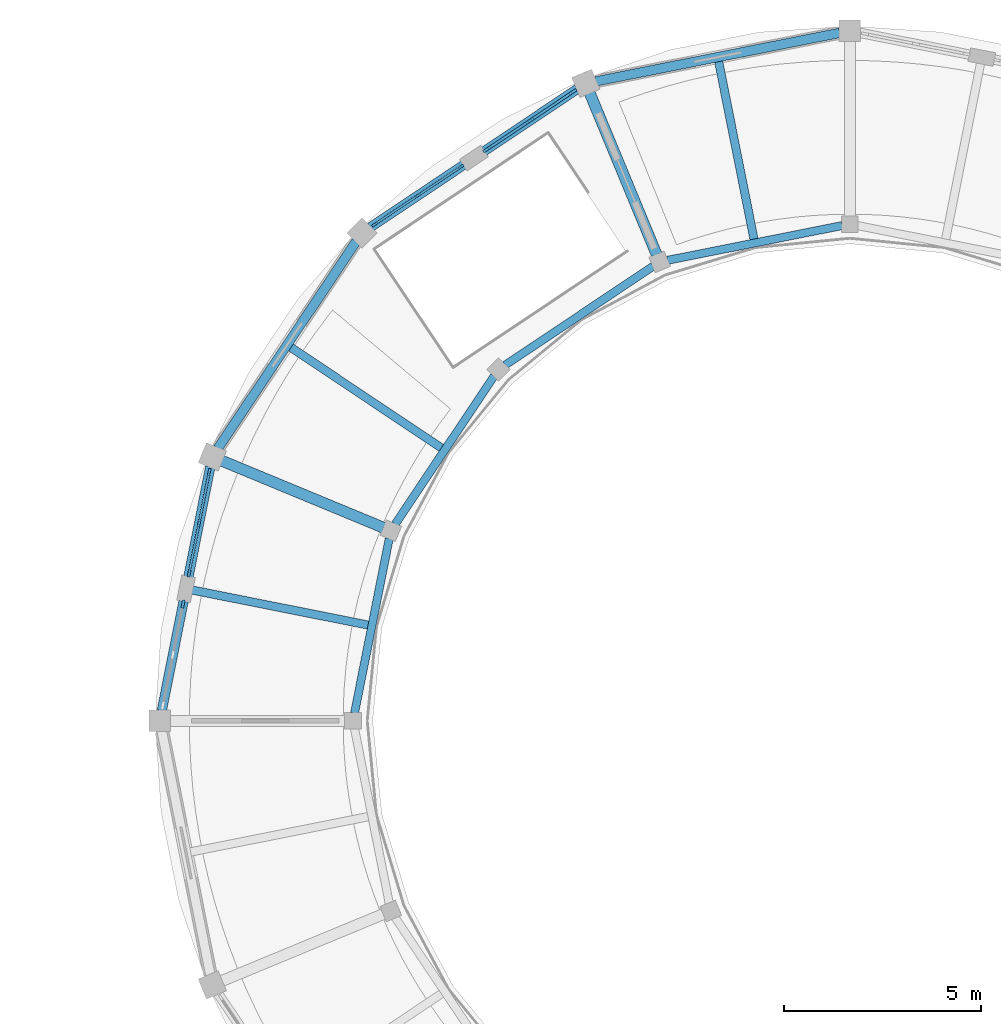
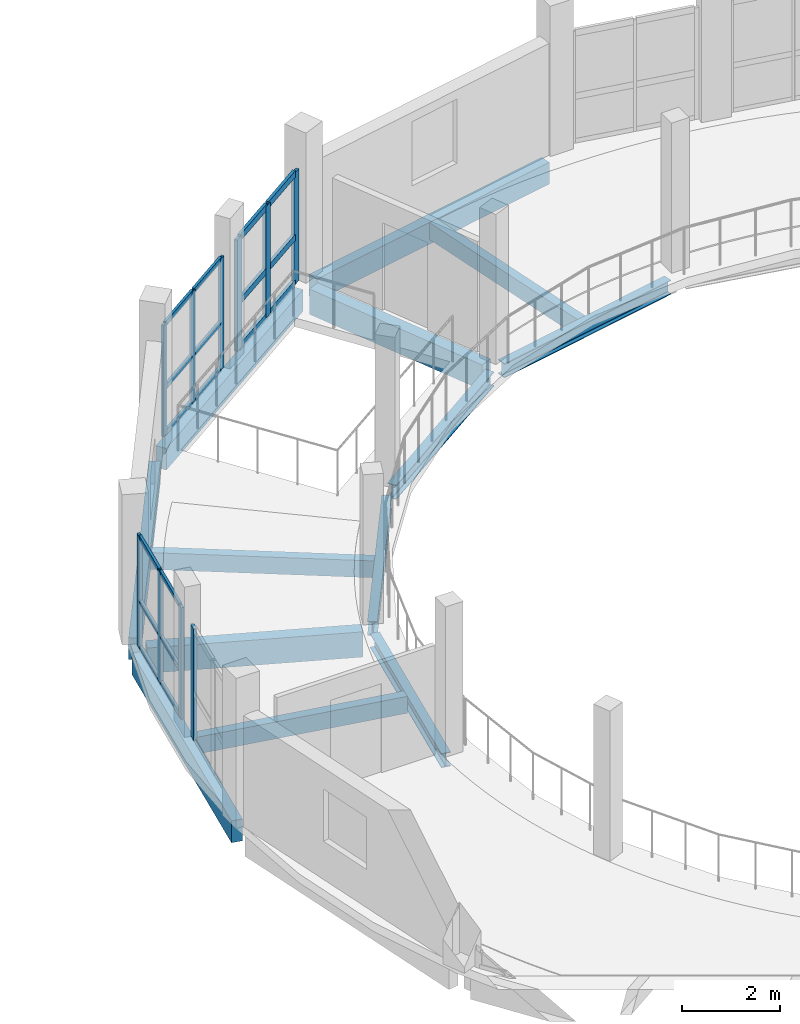
# One storey, part 43 of 77: 28 members, 13 beams, 4 elements without a shape of their own.
"""IFC4 building model written with IfcOpenShell, lengths in metres."""

from ifc_helpers import new_model, si_unit, direction, frame, origin, origin_2d, place, context, subcontext, project, spatial, rectangle, i_section, extrude, material, layer, layer_set, material_profile, profile_set, type_object, element, aggregate, save


model = new_model("IFC4")

# Units and contexts
model_context = context("Model", 3, precision=1e-05, world=origin(), true_north=direction((0.0, 1.0)))
body_context = subcontext(model_context, "Body", "Model", "MODEL_VIEW")
ifc_project = project(units=[si_unit("LENGTHUNIT", "METRE"), si_unit("AREAUNIT", "SQUARE_METRE"), si_unit("VOLUMEUNIT", "CUBIC_METRE"), si_unit("PLANEANGLEUNIT", "RADIAN"), si_unit("MASSUNIT", "GRAM", prefix="KILO")], contexts=[model_context])

# Site, building, storey
site_placement = place(None, origin())
site = spatial("IfcSite", under=ifc_project, at=site_placement, CompositionType="ELEMENT")
building_placement = place(site_placement, origin())
building = spatial("IfcBuilding", under=site, at=building_placement, Name="Caldaven Crescent School", CompositionType="ELEMENT")
storey_placement = place(building_placement, frame((0.0, 0.0, 4.419921875)))
storey = spatial("IfcBuildingStorey", under=building, at=storey_placement, Name="L01", CompositionType="ELEMENT", Elevation=4.419921875)

# Beams
ifc_material_1 = material(Name="Glulam MLE24h (GL28h)", Category="wood")
ifc_material_profile_1 = material_profile(ifc_material_1, rectangle(XDim=0.280029296875, YDim=0.6298828125, at=origin_2d()), Name="MLE 280x630")
ifc_profile_set_1 = profile_set([ifc_material_profile_1], Name="Glulam MLE24h (GL28h)")
beam_type_1 = type_object("IfcBeamType", Name="BM-GL63", PredefinedType="BEAM", material=ifc_profile_set_1)
for number, where, z_axis, x_axis, name in (
    (1, (147.6015625, 110.32568359375, -0.534912109375), (-0.382654507719, 0.923891512961, 0.0), (-0.923891512961, -0.382654507719, 0.0), "BM-V1-L01-0102"),
    (2, (140.67431640625, 103.3984375, -0.534912109375), (-0.923891512961, 0.382654507719, 0.0), (-0.382654507719, -0.923891512961, 0.0), "BM-V1-L01-0108"),
):
    element("IfcBeam", number, at=place(storey_placement, frame(where, z_axis=z_axis, x_axis=x_axis)), inside=storey, type_object=beam_type_1, Name=name, PredefinedType="BEAM", context=body_context, shape_type="SweptSolid", body=[
        extrude(rectangle(XDim=0.280029296875, YDim=0.6298828125, at=origin_2d()), origin(), (0.0, 0.0, 1.0), 4.43994140625),
    ])
ifc_material_2 = material(Name="Steel ASTM A572 Grade 50", Category="steel")
ifc_material_profile_2 = material_profile(ifc_material_2, i_section(OverallWidth=0.205078125, OverallDepth=0.35400390625, WebThickness=0.009521484375, FlangeThickness=0.016845703125, FilletRadius=0.014892578125, at=origin_2d()), Name="W360x79")
ifc_profile_set_2 = profile_set([ifc_material_profile_2], Name="Steel ASTM A572 Grade 50")
beam_type_2 = type_object("IfcBeamType", Name="BM-W36", PredefinedType="BEAM", material=ifc_profile_set_2)
beam_1_placement = place(storey_placement, frame((152.303955078125, 111.06103515625, -0.39697265625), z_axis=(-0.980785962977, -0.195086890453, 0.0), x_axis=(0.195086890453, -0.980785962977, 0.0)))
element("IfcBeam", 3, at=beam_1_placement, inside=storey, type_object=beam_type_2, Name="BM-V1-L01-0099", PredefinedType="BEAM", context=body_context, shape_type="SweptSolid", body=[
    extrude(i_section(OverallWidth=0.205078125, OverallDepth=0.35400390625, WebThickness=0.009521484375, FlangeThickness=0.016845703125, FilletRadius=0.014892578125, at=origin_2d()), origin(), (0.0, 0.0, 1.0), 4.516357421875),
])
for number, where, z_axis, x_axis, name in (
    (4, (147.511962890625, 110.02978515625, -0.39697265625), (-0.831475995794, -0.55556067933, 0.0), (0.55556067933, -0.831475995794, 0.0), "BM-V1-L01-0103"),
    (5, (143.479248046875, 107.2431640625, -0.39697265625), (-0.55556067933, -0.831475995794, 0.0), (0.831475995794, -0.55556067933, 0.0), "BM-V1-L01-0105"),
):
    element("IfcBeam", number, at=place(storey_placement, frame(where, z_axis=z_axis, x_axis=x_axis)), inside=storey, type_object=beam_type_2, Name=name, PredefinedType="BEAM", context=body_context, shape_type="SweptSolid", body=[
        extrude(i_section(OverallWidth=0.205078125, OverallDepth=0.35400390625, WebThickness=0.009521484375, FlangeThickness=0.016845703125, FilletRadius=0.014892578125, at=origin_2d()), origin(), (0.0, 0.0, 1.0), 4.51611328125),
    ])
beam_2_placement = place(storey_placement, frame((140.820068359375, 103.125732421875, -0.39697265625), z_axis=(-0.195086890453, -0.980785962977, 0.0), x_axis=(0.980785962977, -0.195086890453, 0.0)))
element("IfcBeam", 6, at=beam_2_placement, inside=storey, type_object=beam_type_2, Name="BM-V1-L01-0109", PredefinedType="BEAM", context=body_context, shape_type="SweptSolid", body=[
    extrude(i_section(OverallWidth=0.205078125, OverallDepth=0.35400390625, WebThickness=0.009521484375, FlangeThickness=0.016845703125, FilletRadius=0.014892578125, at=origin_2d()), origin(), (0.0, 0.0, 1.0), 4.516357421875),
])

# Curtain wall, members
ifc_material_3 = material(Name="Anodised aluminium AA 6063-T6 and low-E double glazing", Category="aluminium")
ifc_layer_1 = layer(ifc_material_3, 0.2099609375)
ifc_layer_set_1 = layer_set([ifc_layer_1], Name="Anodised aluminium AA 6063-T6 and low-E double glazing")
curtain_wall_type_1 = type_object("IfcCurtainWallType", Name="CW-SYS3", PredefinedType="NOTDEFINED", material=ifc_layer_set_1)
curtain_wall_1_placement = place(storey_placement, origin())
curtain_wall_1 = element("IfcCurtainWall", 7, at=curtain_wall_1_placement, inside=storey, type_object=curtain_wall_type_1, Name="CW-L01-022", PredefinedType="NOTDEFINED")
ifc_material_4 = material(Name="Anodised aluminium AA 6063-T6", Category="aluminium")
ifc_material_profile_3 = material_profile(ifc_material_4, rectangle(XDim=0.06005859375, YDim=0.14990234375, at=origin_2d()), Name="CWM 60x150")
ifc_profile_set_3 = profile_set([ifc_material_profile_3], Name="Anodised aluminium AA 6063-T6")
member_type_1 = type_object("IfcMemberType", Name="CWM-T1", PredefinedType="MULLION", material=ifc_profile_set_3)
member_1_placement = place(storey_placement, frame((142.64013671875, 112.554443359375, 0.0), z_axis=(0.0, 0.0, 1.0), x_axis=(0.555571886154, -0.831468507711, 0.0)))
member_1 = element("IfcMember", 8, at=member_1_placement, type_object=member_type_1, Name="CW3 mullion 1", PredefinedType="MULLION", context=body_context, shape_type="SweptSolid", body=[
    extrude(rectangle(XDim=0.06005859375, YDim=0.14990234375, at=origin_2d()), origin(), (0.0, 0.0, 1.0), 2.780029296875),
])
member_2_placement = place(storey_placement, frame((141.544921875, 111.82275390625, 0.0), z_axis=(0.0, 0.0, 1.0), x_axis=(0.555571886154, -0.831468507711, 0.0)))
member_2 = element("IfcMember", 9, at=member_2_placement, type_object=member_type_1, Name="CW3 mullion 2", PredefinedType="MULLION", context=body_context, shape_type="SweptSolid", body=[
    extrude(rectangle(XDim=0.06005859375, YDim=0.14990234375, at=origin_2d()), origin(), (0.0, 0.0, 1.0), 2.780029296875),
])
member_3_placement = place(storey_placement, frame((140.449951171875, 111.091064453125, 0.0), z_axis=(0.0, 0.0, 1.0), x_axis=(0.555571886154, -0.831468507711, 0.0)))
member_3 = element("IfcMember", 10, at=member_3_placement, type_object=member_type_1, Name="CW3 mullion 3", PredefinedType="MULLION", context=body_context, shape_type="SweptSolid", body=[
    extrude(rectangle(XDim=0.06005859375, YDim=0.14990234375, at=origin_2d()), origin(), (0.0, 0.0, 1.0), 2.780029296875),
])

ifc_layer_2 = layer(ifc_material_3, 0.22998046875)
ifc_layer_set_2 = layer_set([ifc_layer_2], Name="Anodised aluminium AA 6063-T6 and low-E double glazing")
curtain_wall_type_2 = type_object("IfcCurtainWallType", Name="CW-SYS4", PredefinedType="NOTDEFINED", material=ifc_layer_set_2)
curtain_wall_2_placement = place(storey_placement, origin())
curtain_wall_2 = element("IfcCurtainWall", 11, at=curtain_wall_2_placement, inside=storey, type_object=curtain_wall_type_2, Name="CW-L01-023", PredefinedType="NOTDEFINED")
ifc_material_profile_4 = material_profile(ifc_material_4, rectangle(XDim=0.06494140625, YDim=0.179931640625, at=origin_2d()), Name="CWM 65x180")
ifc_profile_set_4 = profile_set([ifc_material_profile_4], Name="Anodised aluminium AA 6063-T6")
member_type_2 = type_object("IfcMemberType", Name="CWM-T2", PredefinedType="MULLION", material=ifc_profile_set_4)
member_4_placement = place(storey_placement, frame((136.255615234375, 104.81201171875, 0.0), z_axis=(0.0, 0.0, 1.0), x_axis=(0.980785289392, -0.195090276825, 0.0)))
member_4 = element("IfcMember", 12, at=member_4_placement, type_object=member_type_2, Name="CW4 mullion 1", PredefinedType="MULLION", context=body_context, shape_type="SweptSolid", body=[
    extrude(rectangle(XDim=0.06494140625, YDim=0.179931640625, at=origin_2d()), origin(), (0.0, 0.0, 1.0), 2.780029296875),
])
member_5_placement = place(storey_placement, frame((135.9990234375, 103.522705078125, 0.0), z_axis=(0.0, 0.0, 1.0), x_axis=(0.980785289392, -0.195090276825, 0.0)))
member_5 = element("IfcMember", 13, at=member_5_placement, type_object=member_type_2, Name="CW4 mullion 2", PredefinedType="MULLION", context=body_context, shape_type="SweptSolid", body=[
    extrude(rectangle(XDim=0.06494140625, YDim=0.179931640625, at=origin_2d()), origin(), (0.0, 0.0, 1.0), 2.780029296875),
])
member_6_placement = place(storey_placement, frame((135.74267578125, 102.2333984375, 0.0), z_axis=(0.0, 0.0, 1.0), x_axis=(0.980785289392, -0.195090276825, 0.0)))
member_6 = element("IfcMember", 14, at=member_6_placement, type_object=member_type_2, Name="CW4 mullion 3", PredefinedType="MULLION", context=body_context, shape_type="SweptSolid", body=[
    extrude(rectangle(XDim=0.06494140625, YDim=0.179931640625, at=origin_2d()), origin(), (0.0, 0.0, 1.0), 2.780029296875),
])

ifc_layer_3 = layer(ifc_material_3, 0.18994140625)
ifc_layer_set_3 = layer_set([ifc_layer_3], Name="Anodised aluminium AA 6063-T6 and low-E double glazing")
curtain_wall_type_3 = type_object("IfcCurtainWallType", Name="CW-SYS2", PredefinedType="NOTDEFINED", material=ifc_layer_set_3)
curtain_wall_3_placement = place(storey_placement, origin())
curtain_wall_3 = element("IfcCurtainWall", 15, at=curtain_wall_3_placement, inside=storey, type_object=curtain_wall_type_3, Name="CW-L01-021", PredefinedType="NOTDEFINED")
ifc_material_profile_5 = material_profile(ifc_material_4, rectangle(XDim=0.070068359375, YDim=0.2099609375, at=origin_2d()), Name="CWM 70x210")
ifc_profile_set_5 = profile_set([ifc_material_profile_5], Name="Anodised aluminium AA 6063-T6")
member_type_3 = type_object("IfcMemberType", Name="CWM-T3", PredefinedType="MULLION", material=ifc_profile_set_5)
member_7_placement = place(storey_placement, frame((145.474609375, 114.448486328125, 0.0), z_axis=(0.0, 0.0, 1.0), x_axis=(0.555569320019, -0.83147022235, 0.0)))
member_7 = element("IfcMember", 16, at=member_7_placement, type_object=member_type_3, Name="CW2 mullion 1", PredefinedType="MULLION", context=body_context, shape_type="SweptSolid", body=[
    extrude(rectangle(XDim=0.070068359375, YDim=0.2099609375, at=origin_2d()), origin(), (0.0, 0.0, 1.0), 2.780029296875),
])
member_8_placement = place(storey_placement, frame((144.3837890625, 113.719482421875, 0.0), z_axis=(0.0, 0.0, 1.0), x_axis=(0.555569320019, -0.83147022235, 0.0)))
member_8 = element("IfcMember", 17, at=member_8_placement, type_object=member_type_3, Name="CW2 mullion 2", PredefinedType="MULLION", context=body_context, shape_type="SweptSolid", body=[
    extrude(rectangle(XDim=0.070068359375, YDim=0.2099609375, at=origin_2d()), origin(), (0.0, 0.0, 1.0), 2.780029296875),
])
member_9_placement = place(storey_placement, frame((143.292724609375, 112.990478515625, 0.0), z_axis=(0.0, 0.0, 1.0), x_axis=(0.555569320019, -0.83147022235, 0.0)))
member_9 = element("IfcMember", 18, at=member_9_placement, type_object=member_type_3, Name="CW2 mullion 3", PredefinedType="MULLION", context=body_context, shape_type="SweptSolid", body=[
    extrude(rectangle(XDim=0.070068359375, YDim=0.2099609375, at=origin_2d()), origin(), (0.0, 0.0, 1.0), 2.780029296875),
])

# Curtain wall, member
ifc_layer_4 = layer(ifc_material_3, 0.169921875)
ifc_layer_set_4 = layer_set([ifc_layer_4], Name="Anodised aluminium AA 6063-T6 and low-E double glazing")
curtain_wall_type_4 = type_object("IfcCurtainWallType", Name="CW-SYS1", PredefinedType="NOTDEFINED", material=ifc_layer_set_4)
curtain_wall_4_placement = place(storey_placement, origin())
curtain_wall_4 = element("IfcCurtainWall", 19, at=curtain_wall_4_placement, inside=storey, type_object=curtain_wall_type_4, Name="CW-L01-024", PredefinedType="NOTDEFINED")
member_10_placement = place(storey_placement, frame((135.589111328125, 101.461181640625, 0.0), z_axis=(0.0, 0.0, 1.0), x_axis=(0.980785289392, -0.195090276825, 0.0)))
member_10 = element("IfcMember", 20, at=member_10_placement, type_object=member_type_3, Name="CW1 mullion 1", PredefinedType="MULLION", context=body_context, shape_type="SweptSolid", body=[
    extrude(rectangle(XDim=0.070068359375, YDim=0.2099609375, at=origin_2d()), origin(), (0.0, 0.0, 1.0), 2.780029296875),
])
aggregate(curtain_wall_4, [member_10])

# Member
ifc_material_profile_6 = material_profile(ifc_material_4, rectangle(XDim=0.06005859375, YDim=0.1201171875, at=origin_2d()), Name="CWT 60x120")
ifc_profile_set_6 = profile_set([ifc_material_profile_6], Name="Anodised aluminium AA 6063-T6")
member_type_4 = type_object("IfcMemberType", Name="CWT-T1", PredefinedType="USERDEFINED", material=ifc_profile_set_6)
member_11_placement = place(storey_placement, frame((142.615234375, 112.537841796875, 0.030029296875), z_axis=(-0.831482253268, -0.555551314012, 0.0), x_axis=(0.555551314012, -0.831482253268, 0.0)))
member_11 = element("IfcMember", 21, at=member_11_placement, type_object=member_type_4, Name="CW3 transom 1.1", ObjectType="TRANSOM", PredefinedType="USERDEFINED", context=body_context, shape_type="SweptSolid", body=[
    extrude(rectangle(XDim=0.06005859375, YDim=0.1201171875, at=origin_2d()), origin(), (0.0, 0.0, 1.0), 1.25732421875),
])

member_12_placement = place(storey_placement, frame((142.615234375, 112.537841796875, 1.16796875), z_axis=(-0.831482253268, -0.555551314012, 0.0), x_axis=(0.555551314012, -0.831482253268, 0.0)))
member_12 = element("IfcMember", 22, at=member_12_placement, type_object=member_type_4, Name="CW3 transom 1.2", ObjectType="TRANSOM", PredefinedType="USERDEFINED", context=body_context, shape_type="SweptSolid", body=[
    extrude(rectangle(XDim=0.06005859375, YDim=0.1201171875, at=origin_2d()), origin(), (0.0, 0.0, 1.0), 1.25732421875),
])

member_13_placement = place(storey_placement, frame((142.615234375, 112.537841796875, 2.75), z_axis=(-0.831482253268, -0.555551314012, 0.0), x_axis=(0.555551314012, -0.831482253268, 0.0)))
member_13 = element("IfcMember", 23, at=member_13_placement, type_object=member_type_4, Name="CW3 transom 1.3", ObjectType="TRANSOM", PredefinedType="USERDEFINED", context=body_context, shape_type="SweptSolid", body=[
    extrude(rectangle(XDim=0.06005859375, YDim=0.1201171875, at=origin_2d()), origin(), (0.0, 0.0, 1.0), 1.25732421875),
])

member_14_placement = place(storey_placement, frame((141.52001953125, 111.80615234375, 0.030029296875), z_axis=(-0.831422307315, -0.555641023412, 0.0), x_axis=(0.555641023412, -0.831422307315, 0.0)))
member_14 = element("IfcMember", 24, at=member_14_placement, type_object=member_type_4, Name="CW3 transom 2.1", ObjectType="TRANSOM", PredefinedType="USERDEFINED", context=body_context, shape_type="SweptSolid", body=[
    extrude(rectangle(XDim=0.06005859375, YDim=0.1201171875, at=origin_2d()), origin(), (0.0, 0.0, 1.0), 1.257080078125),
])

member_15_placement = place(storey_placement, frame((141.52001953125, 111.80615234375, 1.16796875), z_axis=(-0.831422307315, -0.555641023412, 0.0), x_axis=(0.555641023412, -0.831422307315, 0.0)))
member_15 = element("IfcMember", 25, at=member_15_placement, type_object=member_type_4, Name="CW3 transom 2.2", ObjectType="TRANSOM", PredefinedType="USERDEFINED", context=body_context, shape_type="SweptSolid", body=[
    extrude(rectangle(XDim=0.06005859375, YDim=0.1201171875, at=origin_2d()), origin(), (0.0, 0.0, 1.0), 1.257080078125),
])

member_16_placement = place(storey_placement, frame((141.52001953125, 111.80615234375, 2.75), z_axis=(-0.831422307315, -0.555641023412, 0.0), x_axis=(0.555641023412, -0.831422307315, 0.0)))
member_16 = element("IfcMember", 26, at=member_16_placement, type_object=member_type_4, Name="CW3 transom 2.3", ObjectType="TRANSOM", PredefinedType="USERDEFINED", context=body_context, shape_type="SweptSolid", body=[
    extrude(rectangle(XDim=0.06005859375, YDim=0.1201171875, at=origin_2d()), origin(), (0.0, 0.0, 1.0), 1.257080078125),
])

aggregate(curtain_wall_1, [member_1, member_2, member_3, member_11, member_12, member_13, member_14, member_15, member_16])

member_17_placement = place(storey_placement, frame((136.249267578125, 104.780029296875, 0.030029296875), z_axis=(-0.195214161857, -0.980760638999, 0.0), x_axis=(0.980760638999, -0.195214161857, 0.0)))
member_17 = element("IfcMember", 27, at=member_17_placement, type_object=member_type_4, Name="CW4 transom 1.1", ObjectType="TRANSOM", PredefinedType="USERDEFINED", context=body_context, shape_type="SweptSolid", body=[
    extrude(rectangle(XDim=0.06005859375, YDim=0.1201171875, at=origin_2d()), origin(), (0.0, 0.0, 1.0), 1.249267578125),
])

member_18_placement = place(storey_placement, frame((136.249267578125, 104.780029296875, 1.16796875), z_axis=(-0.195214161857, -0.980760638999, 0.0), x_axis=(0.980760638999, -0.195214161857, 0.0)))
member_18 = element("IfcMember", 28, at=member_18_placement, type_object=member_type_4, Name="CW4 transom 1.2", ObjectType="TRANSOM", PredefinedType="USERDEFINED", context=body_context, shape_type="SweptSolid", body=[
    extrude(rectangle(XDim=0.06005859375, YDim=0.1201171875, at=origin_2d()), origin(), (0.0, 0.0, 1.0), 1.249267578125),
])

member_19_placement = place(storey_placement, frame((136.249267578125, 104.780029296875, 2.75), z_axis=(-0.195214161857, -0.980760638999, 0.0), x_axis=(0.980760638999, -0.195214161857, 0.0)))
member_19 = element("IfcMember", 29, at=member_19_placement, type_object=member_type_4, Name="CW4 transom 1.3", ObjectType="TRANSOM", PredefinedType="USERDEFINED", context=body_context, shape_type="SweptSolid", body=[
    extrude(rectangle(XDim=0.06005859375, YDim=0.1201171875, at=origin_2d()), origin(), (0.0, 0.0, 1.0), 1.249267578125),
])

member_20_placement = place(storey_placement, frame((135.99267578125, 103.49072265625, 0.030029296875), z_axis=(-0.195026188312, -0.98079803521, 0.0), x_axis=(0.98079803521, -0.195026188312, 0.0)))
member_20 = element("IfcMember", 30, at=member_20_placement, type_object=member_type_4, Name="CW4 transom 2.1", ObjectType="TRANSOM", PredefinedType="USERDEFINED", context=body_context, shape_type="SweptSolid", body=[
    extrude(rectangle(XDim=0.06005859375, YDim=0.1201171875, at=origin_2d()), origin(), (0.0, 0.0, 1.0), 1.249267578125),
])

member_21_placement = place(storey_placement, frame((135.99267578125, 103.49072265625, 1.16796875), z_axis=(-0.195026188312, -0.98079803521, 0.0), x_axis=(0.98079803521, -0.195026188312, 0.0)))
member_21 = element("IfcMember", 31, at=member_21_placement, type_object=member_type_4, Name="CW4 transom 2.2", ObjectType="TRANSOM", PredefinedType="USERDEFINED", context=body_context, shape_type="SweptSolid", body=[
    extrude(rectangle(XDim=0.06005859375, YDim=0.1201171875, at=origin_2d()), origin(), (0.0, 0.0, 1.0), 1.249267578125),
])

member_22_placement = place(storey_placement, frame((135.99267578125, 103.49072265625, 2.75), z_axis=(-0.195026188312, -0.98079803521, 0.0), x_axis=(0.98079803521, -0.195026188312, 0.0)))
member_22 = element("IfcMember", 32, at=member_22_placement, type_object=member_type_4, Name="CW4 transom 2.3", ObjectType="TRANSOM", PredefinedType="USERDEFINED", context=body_context, shape_type="SweptSolid", body=[
    extrude(rectangle(XDim=0.06005859375, YDim=0.1201171875, at=origin_2d()), origin(), (0.0, 0.0, 1.0), 1.249267578125),
])

aggregate(curtain_wall_2, [member_4, member_5, member_6, member_17, member_18, member_19, member_20, member_21, member_22])

ifc_material_profile_7 = material_profile(ifc_material_4, rectangle(XDim=0.070068359375, YDim=0.159912109375, at=origin_2d()), Name="CWT 70x160")
ifc_profile_set_7 = profile_set([ifc_material_profile_7], Name="Anodised aluminium AA 6063-T6")
member_type_5 = type_object("IfcMemberType", Name="CWT-T3", PredefinedType="USERDEFINED", material=ifc_profile_set_7)
member_23_placement = place(storey_placement, frame((145.445556640625, 114.428955078125, 0.03515625), z_axis=(-0.831505536539, -0.555516464837, 0.0), x_axis=(0.555516464837, -0.831505536539, 0.0)))
member_23 = element("IfcMember", 33, at=member_23_placement, type_object=member_type_5, Name="CW2 transom 1.1", ObjectType="TRANSOM", PredefinedType="USERDEFINED", context=body_context, shape_type="SweptSolid", body=[
    extrude(rectangle(XDim=0.070068359375, YDim=0.159912109375, at=origin_2d()), origin(), (0.0, 0.0, 1.0), 1.241943359375),
])

member_24_placement = place(storey_placement, frame((145.445556640625, 114.428955078125, 1.16796875), z_axis=(-0.831505536539, -0.555516464837, 0.0), x_axis=(0.555516464837, -0.831505536539, 0.0)))
member_24 = element("IfcMember", 34, at=member_24_placement, type_object=member_type_5, Name="CW2 transom 1.2", ObjectType="TRANSOM", PredefinedType="USERDEFINED", context=body_context, shape_type="SweptSolid", body=[
    extrude(rectangle(XDim=0.070068359375, YDim=0.159912109375, at=origin_2d()), origin(), (0.0, 0.0, 1.0), 1.241943359375),
])

member_25_placement = place(storey_placement, frame((145.445556640625, 114.428955078125, 2.7451171875), z_axis=(-0.831505536539, -0.555516464837, 0.0), x_axis=(0.555516464837, -0.831505536539, 0.0)))
member_25 = element("IfcMember", 35, at=member_25_placement, type_object=member_type_5, Name="CW2 transom 1.3", ObjectType="TRANSOM", PredefinedType="USERDEFINED", context=body_context, shape_type="SweptSolid", body=[
    extrude(rectangle(XDim=0.070068359375, YDim=0.159912109375, at=origin_2d()), origin(), (0.0, 0.0, 1.0), 1.241943359375),
])

member_26_placement = place(storey_placement, frame((144.3544921875, 113.699951171875, 0.03515625), z_axis=(-0.831505536539, -0.555516464837, 0.0), x_axis=(0.555516464837, -0.831505536539, 0.0)))
member_26 = element("IfcMember", 36, at=member_26_placement, type_object=member_type_5, Name="CW2 transom 2.1", ObjectType="TRANSOM", PredefinedType="USERDEFINED", context=body_context, shape_type="SweptSolid", body=[
    extrude(rectangle(XDim=0.070068359375, YDim=0.159912109375, at=origin_2d()), origin(), (0.0, 0.0, 1.0), 1.241943359375),
])

member_27_placement = place(storey_placement, frame((144.3544921875, 113.699951171875, 1.16796875), z_axis=(-0.831505536539, -0.555516464837, 0.0), x_axis=(0.555516464837, -0.831505536539, 0.0)))
member_27 = element("IfcMember", 37, at=member_27_placement, type_object=member_type_5, Name="CW2 transom 2.2", ObjectType="TRANSOM", PredefinedType="USERDEFINED", context=body_context, shape_type="SweptSolid", body=[
    extrude(rectangle(XDim=0.070068359375, YDim=0.159912109375, at=origin_2d()), origin(), (0.0, 0.0, 1.0), 1.241943359375),
])

member_28_placement = place(storey_placement, frame((144.3544921875, 113.699951171875, 2.7451171875), z_axis=(-0.831505536539, -0.555516464837, 0.0), x_axis=(0.555516464837, -0.831505536539, 0.0)))
member_28 = element("IfcMember", 38, at=member_28_placement, type_object=member_type_5, Name="CW2 transom 2.3", ObjectType="TRANSOM", PredefinedType="USERDEFINED", context=body_context, shape_type="SweptSolid", body=[
    extrude(rectangle(XDim=0.070068359375, YDim=0.159912109375, at=origin_2d()), origin(), (0.0, 0.0, 1.0), 1.241943359375),
])

aggregate(curtain_wall_3, [member_7, member_8, member_9, member_23, member_24, member_25, member_26, member_27, member_28])

# Beams
ifc_material_profile_8 = material_profile(ifc_material_1, rectangle(XDim=0.2099609375, YDim=0.419921875, at=origin_2d()), Name="MLE 210x420")
ifc_profile_set_8 = profile_set([ifc_material_profile_8], Name="Glulam MLE24h (GL28h)")
beam_type_3 = type_object("IfcBeamType", Name="JS-GL42", PredefinedType="JOIST", material=ifc_profile_set_8)
for number, where, z_axis, x_axis, name in (
    (39, (150.069580078125, 110.718505859375, -0.429931640625), (-0.19506151343, 0.980791010348, 0.0), (-0.980791010348, -0.19506151343, 0.0), "JS-V1-L01-0101"),
    (40, (142.1416015625, 105.421142578125, -0.429931640625), (-0.831460118694, 0.555584440946, 0.0), (-0.555584440946, -0.831460118694, 0.0), "JS-V1-L01-0107"),
    (41, (140.281494140625, 100.930419921875, -0.429931640625), (-0.980791010348, 0.19506151343, 0.0), (-0.19506151343, -0.980791010348, 0.0), "JS-V1-L01-0111"),
):
    element("IfcBeam", number, at=place(storey_placement, frame(where, z_axis=z_axis, x_axis=x_axis)), inside=storey, type_object=beam_type_3, Name=name, PredefinedType="JOIST", context=body_context, shape_type="SweptSolid", body=[
        extrude(rectangle(XDim=0.2099609375, YDim=0.419921875, at=origin_2d()), origin(), (0.0, 0.0, 1.0), 4.5859375),
    ])
ifc_material_profile_9 = material_profile(ifc_material_1, rectangle(XDim=0.239990234375, YDim=0.5400390625, at=origin_2d()), Name="MLE 240x540")
ifc_profile_set_9 = profile_set([ifc_material_profile_9], Name="Glulam MLE24h (GL28h)")
beam_type_4 = type_object("IfcBeamType", Name="SP-GL54", PredefinedType="SPANDREL", material=ifc_profile_set_9)
for number, where, z_axis, x_axis, name in (
    (42, (152.2451171875, 115.94921875, -0.489990234375), (-0.980784074908, -0.195096382354, 0.0), (0.195096382354, -0.980784074908, 0.0), "BM-V1-L01-0100"),
    (43, (145.5869140625, 114.5234375, -0.489990234375), (-0.831472291432, -0.555566223399, 0.0), (0.555566223399, -0.831472291432, 0.0), "BM-V1-L01-0104"),
    (44, (139.981201171875, 110.658203125, -0.489990234375), (-0.555566223399, -0.831472291432, 0.0), (0.831472291432, -0.555566223399, 0.0), "BM-V1-L01-0106"),
    (45, (136.281494140625, 104.94189453125, -0.489990234375), (-0.195096382354, -0.980784074908, 0.0), (0.980784074908, -0.195096382354, 0.0), "BM-V1-L01-0110"),
):
    element("IfcBeam", number, at=place(storey_placement, frame(where, z_axis=z_axis, x_axis=x_axis)), inside=storey, type_object=beam_type_4, Name=name, PredefinedType="SPANDREL", context=body_context, shape_type="SweptSolid", body=[
        extrude(rectangle(XDim=0.239990234375, YDim=0.5400390625, at=origin_2d()), origin(), (0.0, 0.0, 1.0), 6.308349609375),
    ])

save(model, "model.ifc")
